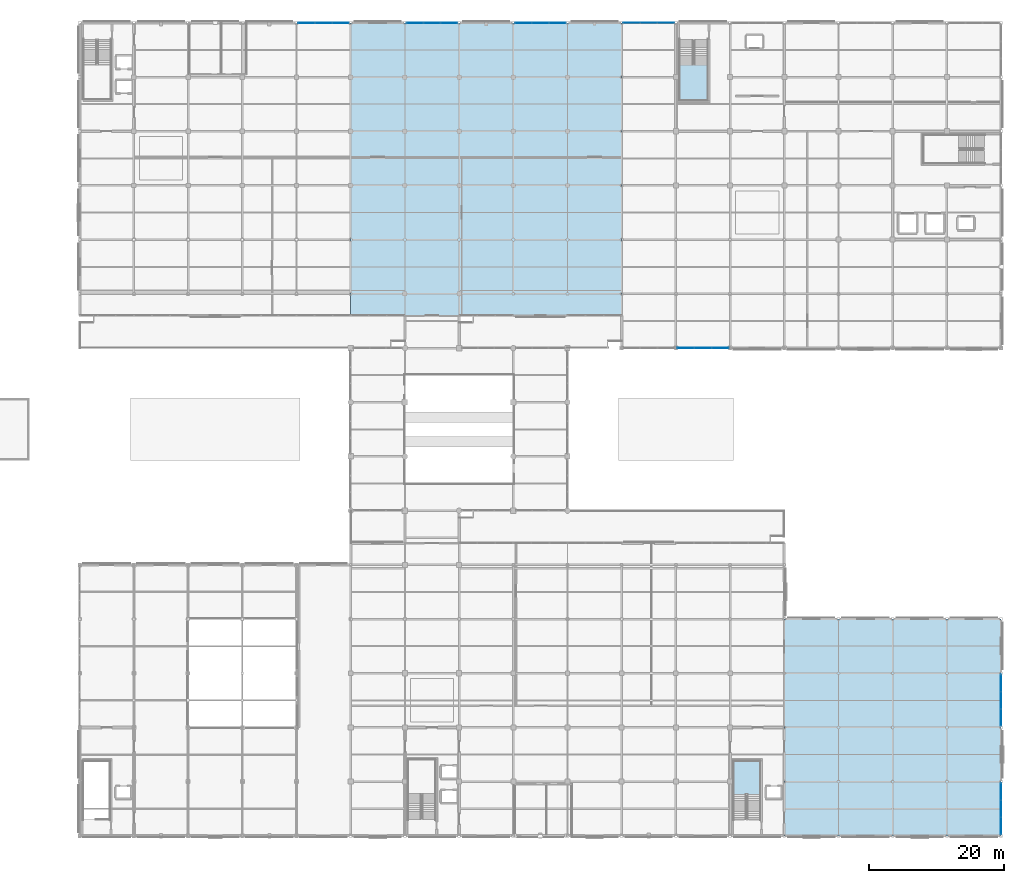
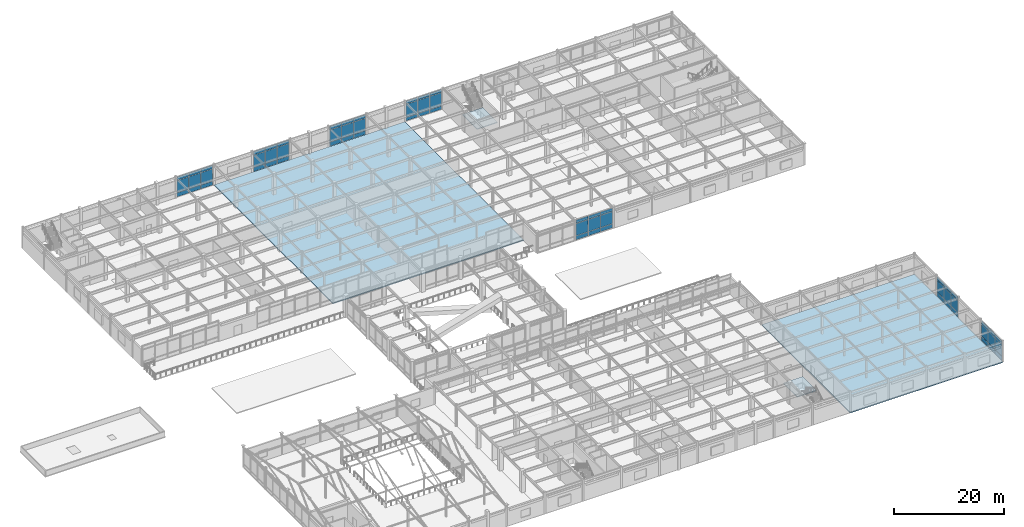
# One storey, part 87 of 117: 63 plates, 4 slabs, 9 elements without a shape of their own.
"""IFC4 building model written with IfcOpenShell, lengths in metres."""

from ifc_helpers import new_model, si_unit, direction, frame, origin, origin_2d, place, context, subcontext, project, spatial, polyline, rectangle, outline, extrude, material, layer, layer_set, type_object, element, aggregate, save


model = new_model("IFC4")

# Units and contexts
model_context = context("Model", 3, precision=1e-05, world=origin(), true_north=direction((0.0, 1.0)))
body_context = subcontext(model_context, "Body", "Model", "MODEL_VIEW")
ifc_project = project(units=[si_unit("LENGTHUNIT", "METRE"), si_unit("AREAUNIT", "SQUARE_METRE"), si_unit("VOLUMEUNIT", "CUBIC_METRE"), si_unit("PLANEANGLEUNIT", "RADIAN"), si_unit("MASSUNIT", "GRAM", prefix="KILO")], contexts=[model_context])

# Site, building, storey
site_placement = place(None, origin())
site = spatial("IfcSite", under=ifc_project, at=site_placement, CompositionType="ELEMENT")
building_placement = place(site_placement, origin())
building = spatial("IfcBuilding", under=site, at=building_placement, Name="Solmirada Galleria", CompositionType="ELEMENT")
storey_placement = place(building_placement, frame((0.0, 0.0, 5.60009765625)))
storey = spatial("IfcBuildingStorey", under=building, at=storey_placement, Name="L01", CompositionType="ELEMENT", Elevation=5.60009765625)

# Curtain wall, plates
ifc_material_1 = material(Name="Impact-resistant low-E double glazing", Category="glass")
curtain_wall_type_1 = type_object("IfcCurtainWallType", Name="CW-FZ4-L01-B3-L076", PredefinedType="NOTDEFINED", material=ifc_material_1)
curtain_wall_1_placement = place(storey_placement, origin())
curtain_wall_1 = element("IfcCurtainWall", 1, at=curtain_wall_1_placement, inside=storey, type_object=curtain_wall_type_1, Name="Terrace and arcade storefront CW-L01-053", PredefinedType="NOTDEFINED")
ifc_layer_1 = layer(ifc_material_1, 0.048095703125)
ifc_layer_set_1 = layer_set([ifc_layer_1], Name="Impact-resistant low-E double glazing")
plate_type_1 = type_object("IfcPlateType", Name="CW-PNL-CW14-T48", PredefinedType="CURTAIN_PANEL", material=ifc_layer_set_1)
plate_1_placement = place(storey_placement, frame((73.486328125, 120.0, 0.06494140625), z_axis=(0.0, 0.0, 1.0), x_axis=(1.0, 0.0, 0.0)))
plate_1 = element("IfcPlate", 2, at=plate_1_placement, type_object=plate_type_1, Name="CW14 panel 1.1", PredefinedType="CURTAIN_PANEL", context=body_context, shape_type="SweptSolid", body=[
    extrude(rectangle(XDim=2.4326171875, YDim=0.048095703125, at=origin_2d()), origin(), (0.0, 0.0, 1.0), 0.862548828125),
])
plate_2_placement = place(storey_placement, frame((73.486328125, 120.0, 0.9921875), z_axis=(0.0, 0.0, 1.0), x_axis=(1.0, 0.0, 0.0)))
plate_2 = element("IfcPlate", 3, at=plate_2_placement, type_object=plate_type_1, Name="CW14 panel 1.2", PredefinedType="CURTAIN_PANEL", context=body_context, shape_type="SweptSolid", body=[
    extrude(rectangle(XDim=2.4326171875, YDim=0.048095703125, at=origin_2d()), origin(), (0.0, 0.0, 1.0), 2.655029296875),
])
plate_3_placement = place(storey_placement, frame((73.486328125, 120.0, 3.71240234375), z_axis=(0.0, 0.0, 1.0), x_axis=(1.0, 0.0, 0.0)))
plate_3 = element("IfcPlate", 4, at=plate_3_placement, type_object=plate_type_1, Name="CW14 panel 1.3", PredefinedType="CURTAIN_PANEL", context=body_context, shape_type="SweptSolid", body=[
    extrude(rectangle(XDim=2.4326171875, YDim=0.048095703125, at=origin_2d()), origin(), (0.0, 0.0, 1.0), 0.742431640625),
])
plate_4_placement = place(storey_placement, frame((76.0, 120.0, 0.06494140625), z_axis=(0.0, 0.0, 1.0), x_axis=(1.0, 0.0, 0.0)))
plate_4 = element("IfcPlate", 5, at=plate_4_placement, type_object=plate_type_1, Name="CW14 panel 2.1", PredefinedType="CURTAIN_PANEL", context=body_context, shape_type="SweptSolid", body=[
    extrude(rectangle(XDim=2.465087890625, YDim=0.048095703125, at=origin_2d()), origin(), (0.0, 0.0, 1.0), 0.862548828125),
])
plate_5_placement = place(storey_placement, frame((76.0, 120.0, 0.9921875), z_axis=(0.0, 0.0, 1.0), x_axis=(1.0, 0.0, 0.0)))
plate_5 = element("IfcPlate", 6, at=plate_5_placement, type_object=plate_type_1, Name="CW14 panel 2.2", PredefinedType="CURTAIN_PANEL", context=body_context, shape_type="SweptSolid", body=[
    extrude(rectangle(XDim=2.465087890625, YDim=0.048095703125, at=origin_2d()), origin(), (0.0, 0.0, 1.0), 2.655029296875),
])
plate_6_placement = place(storey_placement, frame((76.0, 120.0, 3.71240234375), z_axis=(0.0, 0.0, 1.0), x_axis=(1.0, 0.0, 0.0)))
plate_6 = element("IfcPlate", 7, at=plate_6_placement, type_object=plate_type_1, Name="CW14 panel 2.3", PredefinedType="CURTAIN_PANEL", context=body_context, shape_type="SweptSolid", body=[
    extrude(rectangle(XDim=2.465087890625, YDim=0.048095703125, at=origin_2d()), origin(), (0.0, 0.0, 1.0), 0.742431640625),
])
plate_7_placement = place(storey_placement, frame((78.513671875, 120.0, 0.06494140625), z_axis=(0.0, 0.0, 1.0), x_axis=(1.0, 0.0, 0.0)))
plate_7 = element("IfcPlate", 8, at=plate_7_placement, type_object=plate_type_1, Name="CW14 panel 3.1", PredefinedType="CURTAIN_PANEL", context=body_context, shape_type="SweptSolid", body=[
    extrude(rectangle(XDim=2.4326171875, YDim=0.048095703125, at=origin_2d()), origin(), (0.0, 0.0, 1.0), 0.862548828125),
])
plate_8_placement = place(storey_placement, frame((78.513671875, 120.0, 0.9921875), z_axis=(0.0, 0.0, 1.0), x_axis=(1.0, 0.0, 0.0)))
plate_8 = element("IfcPlate", 9, at=plate_8_placement, type_object=plate_type_1, Name="CW14 panel 3.2", PredefinedType="CURTAIN_PANEL", context=body_context, shape_type="SweptSolid", body=[
    extrude(rectangle(XDim=2.4326171875, YDim=0.048095703125, at=origin_2d()), origin(), (0.0, 0.0, 1.0), 2.655029296875),
])
plate_9_placement = place(storey_placement, frame((78.513671875, 120.0, 3.71240234375), z_axis=(0.0, 0.0, 1.0), x_axis=(1.0, 0.0, 0.0)))
plate_9 = element("IfcPlate", 10, at=plate_9_placement, type_object=plate_type_1, Name="CW14 panel 3.3", PredefinedType="CURTAIN_PANEL", context=body_context, shape_type="SweptSolid", body=[
    extrude(rectangle(XDim=2.4326171875, YDim=0.048095703125, at=origin_2d()), origin(), (0.0, 0.0, 1.0), 0.742431640625),
])
aggregate(curtain_wall_1, [plate_1, plate_2, plate_3, plate_4, plate_5, plate_6, plate_7, plate_8, plate_9])

curtain_wall_2_placement = place(storey_placement, origin())
curtain_wall_2 = element("IfcCurtainWall", 11, at=curtain_wall_2_placement, inside=storey, type_object=curtain_wall_type_1, Name="Terrace and arcade storefront CW-L01-054", PredefinedType="NOTDEFINED")
plate_10_placement = place(storey_placement, frame((89.486328125, 120.0, 0.06494140625), z_axis=(0.0, 0.0, 1.0), x_axis=(1.0, 0.0, 0.0)))
plate_10 = element("IfcPlate", 12, at=plate_10_placement, type_object=plate_type_1, Name="CW14 panel 1.1", PredefinedType="CURTAIN_PANEL", context=body_context, shape_type="SweptSolid", body=[
    extrude(rectangle(XDim=2.4326171875, YDim=0.048095703125, at=origin_2d()), origin(), (0.0, 0.0, 1.0), 0.862548828125),
])
plate_11_placement = place(storey_placement, frame((89.486328125, 120.0, 0.9921875), z_axis=(0.0, 0.0, 1.0), x_axis=(1.0, 0.0, 0.0)))
plate_11 = element("IfcPlate", 13, at=plate_11_placement, type_object=plate_type_1, Name="CW14 panel 1.2", PredefinedType="CURTAIN_PANEL", context=body_context, shape_type="SweptSolid", body=[
    extrude(rectangle(XDim=2.4326171875, YDim=0.048095703125, at=origin_2d()), origin(), (0.0, 0.0, 1.0), 2.655029296875),
])
plate_12_placement = place(storey_placement, frame((89.486328125, 120.0, 3.71240234375), z_axis=(0.0, 0.0, 1.0), x_axis=(1.0, 0.0, 0.0)))
plate_12 = element("IfcPlate", 14, at=plate_12_placement, type_object=plate_type_1, Name="CW14 panel 1.3", PredefinedType="CURTAIN_PANEL", context=body_context, shape_type="SweptSolid", body=[
    extrude(rectangle(XDim=2.4326171875, YDim=0.048095703125, at=origin_2d()), origin(), (0.0, 0.0, 1.0), 0.742431640625),
])
plate_13_placement = place(storey_placement, frame((92.0, 120.0, 0.06494140625), z_axis=(0.0, 0.0, 1.0), x_axis=(1.0, 0.0, 0.0)))
plate_13 = element("IfcPlate", 15, at=plate_13_placement, type_object=plate_type_1, Name="CW14 panel 2.1", PredefinedType="CURTAIN_PANEL", context=body_context, shape_type="SweptSolid", body=[
    extrude(rectangle(XDim=2.465087890625, YDim=0.048095703125, at=origin_2d()), origin(), (0.0, 0.0, 1.0), 0.862548828125),
])
plate_14_placement = place(storey_placement, frame((92.0, 120.0, 0.9921875), z_axis=(0.0, 0.0, 1.0), x_axis=(1.0, 0.0, 0.0)))
plate_14 = element("IfcPlate", 16, at=plate_14_placement, type_object=plate_type_1, Name="CW14 panel 2.2", PredefinedType="CURTAIN_PANEL", context=body_context, shape_type="SweptSolid", body=[
    extrude(rectangle(XDim=2.465087890625, YDim=0.048095703125, at=origin_2d()), origin(), (0.0, 0.0, 1.0), 2.655029296875),
])
plate_15_placement = place(storey_placement, frame((92.0, 120.0, 3.71240234375), z_axis=(0.0, 0.0, 1.0), x_axis=(1.0, 0.0, 0.0)))
plate_15 = element("IfcPlate", 17, at=plate_15_placement, type_object=plate_type_1, Name="CW14 panel 2.3", PredefinedType="CURTAIN_PANEL", context=body_context, shape_type="SweptSolid", body=[
    extrude(rectangle(XDim=2.465087890625, YDim=0.048095703125, at=origin_2d()), origin(), (0.0, 0.0, 1.0), 0.742431640625),
])
plate_16_placement = place(storey_placement, frame((94.513671875, 120.0, 0.06494140625), z_axis=(0.0, 0.0, 1.0), x_axis=(1.0, 0.0, 0.0)))
plate_16 = element("IfcPlate", 18, at=plate_16_placement, type_object=plate_type_1, Name="CW14 panel 3.1", PredefinedType="CURTAIN_PANEL", context=body_context, shape_type="SweptSolid", body=[
    extrude(rectangle(XDim=2.4326171875, YDim=0.048095703125, at=origin_2d()), origin(), (0.0, 0.0, 1.0), 0.862548828125),
])
plate_17_placement = place(storey_placement, frame((94.513671875, 120.0, 0.9921875), z_axis=(0.0, 0.0, 1.0), x_axis=(1.0, 0.0, 0.0)))
plate_17 = element("IfcPlate", 19, at=plate_17_placement, type_object=plate_type_1, Name="CW14 panel 3.2", PredefinedType="CURTAIN_PANEL", context=body_context, shape_type="SweptSolid", body=[
    extrude(rectangle(XDim=2.4326171875, YDim=0.048095703125, at=origin_2d()), origin(), (0.0, 0.0, 1.0), 2.655029296875),
])
plate_18_placement = place(storey_placement, frame((94.513671875, 120.0, 3.71240234375), z_axis=(0.0, 0.0, 1.0), x_axis=(1.0, 0.0, 0.0)))
plate_18 = element("IfcPlate", 20, at=plate_18_placement, type_object=plate_type_1, Name="CW14 panel 3.3", PredefinedType="CURTAIN_PANEL", context=body_context, shape_type="SweptSolid", body=[
    extrude(rectangle(XDim=2.4326171875, YDim=0.048095703125, at=origin_2d()), origin(), (0.0, 0.0, 1.0), 0.742431640625),
])
aggregate(curtain_wall_2, [plate_10, plate_11, plate_12, plate_13, plate_14, plate_15, plate_16, plate_17, plate_18])

curtain_wall_3_placement = place(storey_placement, origin())
curtain_wall_3 = element("IfcCurtainWall", 21, at=curtain_wall_3_placement, inside=storey, type_object=curtain_wall_type_1, Name="Terrace and arcade storefront CW-L01-055", PredefinedType="NOTDEFINED")
plate_19_placement = place(storey_placement, frame((105.486328125, 120.0, 0.06494140625), z_axis=(0.0, 0.0, 1.0), x_axis=(1.0, 0.0, 0.0)))
plate_19 = element("IfcPlate", 22, at=plate_19_placement, type_object=plate_type_1, Name="CW14 panel 1.1", PredefinedType="CURTAIN_PANEL", context=body_context, shape_type="SweptSolid", body=[
    extrude(rectangle(XDim=2.4326171875, YDim=0.048095703125, at=origin_2d()), origin(), (0.0, 0.0, 1.0), 0.862548828125),
])
plate_20_placement = place(storey_placement, frame((105.486328125, 120.0, 0.9921875), z_axis=(0.0, 0.0, 1.0), x_axis=(1.0, 0.0, 0.0)))
plate_20 = element("IfcPlate", 23, at=plate_20_placement, type_object=plate_type_1, Name="CW14 panel 1.2", PredefinedType="CURTAIN_PANEL", context=body_context, shape_type="SweptSolid", body=[
    extrude(rectangle(XDim=2.4326171875, YDim=0.048095703125, at=origin_2d()), origin(), (0.0, 0.0, 1.0), 2.655029296875),
])
plate_21_placement = place(storey_placement, frame((105.486328125, 120.0, 3.71240234375), z_axis=(0.0, 0.0, 1.0), x_axis=(1.0, 0.0, 0.0)))
plate_21 = element("IfcPlate", 24, at=plate_21_placement, type_object=plate_type_1, Name="CW14 panel 1.3", PredefinedType="CURTAIN_PANEL", context=body_context, shape_type="SweptSolid", body=[
    extrude(rectangle(XDim=2.4326171875, YDim=0.048095703125, at=origin_2d()), origin(), (0.0, 0.0, 1.0), 0.742431640625),
])
plate_22_placement = place(storey_placement, frame((108.0, 120.0, 0.06494140625), z_axis=(0.0, 0.0, 1.0), x_axis=(1.0, 0.0, 0.0)))
plate_22 = element("IfcPlate", 25, at=plate_22_placement, type_object=plate_type_1, Name="CW14 panel 2.1", PredefinedType="CURTAIN_PANEL", context=body_context, shape_type="SweptSolid", body=[
    extrude(rectangle(XDim=2.465087890625, YDim=0.048095703125, at=origin_2d()), origin(), (0.0, 0.0, 1.0), 0.862548828125),
])
plate_23_placement = place(storey_placement, frame((108.0, 120.0, 0.9921875), z_axis=(0.0, 0.0, 1.0), x_axis=(1.0, 0.0, 0.0)))
plate_23 = element("IfcPlate", 26, at=plate_23_placement, type_object=plate_type_1, Name="CW14 panel 2.2", PredefinedType="CURTAIN_PANEL", context=body_context, shape_type="SweptSolid", body=[
    extrude(rectangle(XDim=2.465087890625, YDim=0.048095703125, at=origin_2d()), origin(), (0.0, 0.0, 1.0), 2.655029296875),
])
plate_24_placement = place(storey_placement, frame((108.0, 120.0, 3.71240234375), z_axis=(0.0, 0.0, 1.0), x_axis=(1.0, 0.0, 0.0)))
plate_24 = element("IfcPlate", 27, at=plate_24_placement, type_object=plate_type_1, Name="CW14 panel 2.3", PredefinedType="CURTAIN_PANEL", context=body_context, shape_type="SweptSolid", body=[
    extrude(rectangle(XDim=2.465087890625, YDim=0.048095703125, at=origin_2d()), origin(), (0.0, 0.0, 1.0), 0.742431640625),
])
plate_25_placement = place(storey_placement, frame((110.513671875, 120.0, 0.06494140625), z_axis=(0.0, 0.0, 1.0), x_axis=(1.0, 0.0, 0.0)))
plate_25 = element("IfcPlate", 28, at=plate_25_placement, type_object=plate_type_1, Name="CW14 panel 3.1", PredefinedType="CURTAIN_PANEL", context=body_context, shape_type="SweptSolid", body=[
    extrude(rectangle(XDim=2.4326171875, YDim=0.048095703125, at=origin_2d()), origin(), (0.0, 0.0, 1.0), 0.862548828125),
])
plate_26_placement = place(storey_placement, frame((110.513671875, 120.0, 0.9921875), z_axis=(0.0, 0.0, 1.0), x_axis=(1.0, 0.0, 0.0)))
plate_26 = element("IfcPlate", 29, at=plate_26_placement, type_object=plate_type_1, Name="CW14 panel 3.2", PredefinedType="CURTAIN_PANEL", context=body_context, shape_type="SweptSolid", body=[
    extrude(rectangle(XDim=2.4326171875, YDim=0.048095703125, at=origin_2d()), origin(), (0.0, 0.0, 1.0), 2.655029296875),
])
plate_27_placement = place(storey_placement, frame((110.513671875, 120.0, 3.71240234375), z_axis=(0.0, 0.0, 1.0), x_axis=(1.0, 0.0, 0.0)))
plate_27 = element("IfcPlate", 30, at=plate_27_placement, type_object=plate_type_1, Name="CW14 panel 3.3", PredefinedType="CURTAIN_PANEL", context=body_context, shape_type="SweptSolid", body=[
    extrude(rectangle(XDim=2.4326171875, YDim=0.048095703125, at=origin_2d()), origin(), (0.0, 0.0, 1.0), 0.742431640625),
])
aggregate(curtain_wall_3, [plate_19, plate_20, plate_21, plate_22, plate_23, plate_24, plate_25, plate_26, plate_27])

curtain_wall_type_2 = type_object("IfcCurtainWallType", Name="CW-FZ2-L01-B3-L076", PredefinedType="NOTDEFINED", material=ifc_material_1)
curtain_wall_4_placement = place(storey_placement, origin())
curtain_wall_4 = element("IfcCurtainWall", 31, at=curtain_wall_4_placement, inside=storey, type_object=curtain_wall_type_2, Name="Terrace and arcade storefront CW-L01-056", PredefinedType="NOTDEFINED")
ifc_layer_2 = layer(ifc_material_1, 0.02392578125)
ifc_layer_set_2 = layer_set([ifc_layer_2], Name="Impact-resistant low-E double glazing")
plate_type_2 = type_object("IfcPlateType", Name="CW-PNL-CW15-T24", PredefinedType="CURTAIN_PANEL", material=ifc_layer_set_2)
plate_28_placement = place(storey_placement, frame((121.46533203125, 120.0, 0.06494140625), z_axis=(0.0, 0.0, 1.0), x_axis=(1.0, 0.0, 0.0)))
plate_28 = element("IfcPlate", 32, at=plate_28_placement, type_object=plate_type_2, Name="CW15 panel 1.1", PredefinedType="CURTAIN_PANEL", context=body_context, shape_type="SweptSolid", body=[
    extrude(rectangle(XDim=2.44091796875, YDim=0.02392578125, at=origin_2d()), origin(), (0.0, 0.0, 1.0), 0.742431640625),
])
plate_29_placement = place(storey_placement, frame((121.46533203125, 120.0, 0.872314453125), z_axis=(0.0, 0.0, 1.0), x_axis=(1.0, 0.0, 0.0)))
plate_29 = element("IfcPlate", 33, at=plate_29_placement, type_object=plate_type_2, Name="CW15 panel 1.2", PredefinedType="CURTAIN_PANEL", context=body_context, shape_type="SweptSolid", body=[
    extrude(rectangle(XDim=2.44091796875, YDim=0.02392578125, at=origin_2d()), origin(), (0.0, 0.0, 1.0), 2.875),
])
plate_30_placement = place(storey_placement, frame((121.46533203125, 120.0, 3.812255859375), z_axis=(0.0, 0.0, 1.0), x_axis=(1.0, 0.0, 0.0)))
plate_30 = element("IfcPlate", 34, at=plate_30_placement, type_object=plate_type_2, Name="CW15 panel 1.3", PredefinedType="CURTAIN_PANEL", context=body_context, shape_type="SweptSolid", body=[
    extrude(rectangle(XDim=2.44091796875, YDim=0.02392578125, at=origin_2d()), origin(), (0.0, 0.0, 1.0), 0.642578125),
])
plate_31_placement = place(storey_placement, frame((123.987548828125, 120.0, 0.06494140625), z_axis=(0.0, 0.0, 1.0), x_axis=(1.0, 0.0, 0.0)))
plate_31 = element("IfcPlate", 35, at=plate_31_placement, type_object=plate_type_2, Name="CW15 panel 2.1", PredefinedType="CURTAIN_PANEL", context=body_context, shape_type="SweptSolid", body=[
    extrude(rectangle(XDim=2.473388671875, YDim=0.02392578125, at=origin_2d()), origin(), (0.0, 0.0, 1.0), 0.742431640625),
])
plate_32_placement = place(storey_placement, frame((123.987548828125, 120.0, 0.872314453125), z_axis=(0.0, 0.0, 1.0), x_axis=(1.0, 0.0, 0.0)))
plate_32 = element("IfcPlate", 36, at=plate_32_placement, type_object=plate_type_2, Name="CW15 panel 2.2", PredefinedType="CURTAIN_PANEL", context=body_context, shape_type="SweptSolid", body=[
    extrude(rectangle(XDim=2.473388671875, YDim=0.02392578125, at=origin_2d()), origin(), (0.0, 0.0, 1.0), 2.875),
])
plate_33_placement = place(storey_placement, frame((123.987548828125, 120.0, 3.812255859375), z_axis=(0.0, 0.0, 1.0), x_axis=(1.0, 0.0, 0.0)))
plate_33 = element("IfcPlate", 37, at=plate_33_placement, type_object=plate_type_2, Name="CW15 panel 2.3", PredefinedType="CURTAIN_PANEL", context=body_context, shape_type="SweptSolid", body=[
    extrude(rectangle(XDim=2.473388671875, YDim=0.02392578125, at=origin_2d()), origin(), (0.0, 0.0, 1.0), 0.642578125),
])
plate_34_placement = place(storey_placement, frame((126.509521484375, 120.0, 0.06494140625), z_axis=(0.0, 0.0, 1.0), x_axis=(1.0, 0.0, 0.0)))
plate_34 = element("IfcPlate", 38, at=plate_34_placement, type_object=plate_type_2, Name="CW15 panel 3.1", PredefinedType="CURTAIN_PANEL", context=body_context, shape_type="SweptSolid", body=[
    extrude(rectangle(XDim=2.44091796875, YDim=0.02392578125, at=origin_2d()), origin(), (0.0, 0.0, 1.0), 0.742431640625),
])
plate_35_placement = place(storey_placement, frame((126.509521484375, 120.0, 0.872314453125), z_axis=(0.0, 0.0, 1.0), x_axis=(1.0, 0.0, 0.0)))
plate_35 = element("IfcPlate", 39, at=plate_35_placement, type_object=plate_type_2, Name="CW15 panel 3.2", PredefinedType="CURTAIN_PANEL", context=body_context, shape_type="SweptSolid", body=[
    extrude(rectangle(XDim=2.44091796875, YDim=0.02392578125, at=origin_2d()), origin(), (0.0, 0.0, 1.0), 2.875),
])
plate_36_placement = place(storey_placement, frame((126.509521484375, 120.0, 3.812255859375), z_axis=(0.0, 0.0, 1.0), x_axis=(1.0, 0.0, 0.0)))
plate_36 = element("IfcPlate", 40, at=plate_36_placement, type_object=plate_type_2, Name="CW15 panel 3.3", PredefinedType="CURTAIN_PANEL", context=body_context, shape_type="SweptSolid", body=[
    extrude(rectangle(XDim=2.44091796875, YDim=0.02392578125, at=origin_2d()), origin(), (0.0, 0.0, 1.0), 0.642578125),
])
aggregate(curtain_wall_4, [plate_28, plate_29, plate_30, plate_31, plate_32, plate_33, plate_34, plate_35, plate_36])

curtain_wall_type_3 = type_object("IfcCurtainWallType", Name="CW-FZ4-L01-B3-L077", PredefinedType="NOTDEFINED", material=ifc_material_1)
curtain_wall_5_placement = place(storey_placement, origin())
curtain_wall_5 = element("IfcCurtainWall", 41, at=curtain_wall_5_placement, inside=storey, type_object=curtain_wall_type_3, Name="Terrace and arcade storefront CW-L01-062", PredefinedType="NOTDEFINED")
ifc_layer_3 = layer(ifc_material_1, 0.028076171875)
ifc_layer_set_3 = layer_set([ifc_layer_3], Name="Impact-resistant low-E double glazing")
plate_type_3 = type_object("IfcPlateType", Name="CW-PNL-CW16-T28", PredefinedType="CURTAIN_PANEL", material=ifc_layer_set_3)
plate_37_placement = place(storey_placement, frame((134.564453125, 72.0, 0.06494140625), z_axis=(0.0, 0.0, 1.0), x_axis=(-1.0, 0.0, 0.0)))
plate_37 = element("IfcPlate", 42, at=plate_37_placement, type_object=plate_type_3, Name="CW16 panel 1.1", PredefinedType="CURTAIN_PANEL", context=body_context, shape_type="SweptSolid", body=[
    extrude(rectangle(XDim=2.483154296875, YDim=0.028076171875, at=origin_2d()), origin(), (0.0, 0.0, 1.0), 0.862548828125),
])
plate_38_placement = place(storey_placement, frame((134.564453125, 72.0, 0.9921875), z_axis=(0.0, 0.0, 1.0), x_axis=(-1.0, 0.0, 0.0)))
plate_38 = element("IfcPlate", 43, at=plate_38_placement, type_object=plate_type_3, Name="CW16 panel 1.2", PredefinedType="CURTAIN_PANEL", context=body_context, shape_type="SweptSolid", body=[
    extrude(rectangle(XDim=2.483154296875, YDim=0.028076171875, at=origin_2d()), origin(), (0.0, 0.0, 1.0), 2.655029296875),
])
plate_39_placement = place(storey_placement, frame((134.564453125, 72.0, 3.71240234375), z_axis=(0.0, 0.0, 1.0), x_axis=(-1.0, 0.0, 0.0)))
plate_39 = element("IfcPlate", 44, at=plate_39_placement, type_object=plate_type_3, Name="CW16 panel 1.3", PredefinedType="CURTAIN_PANEL", context=body_context, shape_type="SweptSolid", body=[
    extrude(rectangle(XDim=2.483154296875, YDim=0.028076171875, at=origin_2d()), origin(), (0.0, 0.0, 1.0), 0.742431640625),
])
plate_40_placement = place(storey_placement, frame((132.0, 72.0, 0.06494140625), z_axis=(0.0, 0.0, 1.0), x_axis=(-1.0, 0.0, 0.0)))
plate_40 = element("IfcPlate", 45, at=plate_40_placement, type_object=plate_type_3, Name="CW16 panel 2.1", PredefinedType="CURTAIN_PANEL", context=body_context, shape_type="SweptSolid", body=[
    extrude(rectangle(XDim=2.515625, YDim=0.028076171875, at=origin_2d()), origin(), (0.0, 0.0, 1.0), 0.862548828125),
])
plate_41_placement = place(storey_placement, frame((132.0, 72.0, 0.9921875), z_axis=(0.0, 0.0, 1.0), x_axis=(-1.0, 0.0, 0.0)))
plate_41 = element("IfcPlate", 46, at=plate_41_placement, type_object=plate_type_3, Name="CW16 panel 2.2", PredefinedType="CURTAIN_PANEL", context=body_context, shape_type="SweptSolid", body=[
    extrude(rectangle(XDim=2.515625, YDim=0.028076171875, at=origin_2d()), origin(), (0.0, 0.0, 1.0), 2.655029296875),
])
plate_42_placement = place(storey_placement, frame((132.0, 72.0, 3.71240234375), z_axis=(0.0, 0.0, 1.0), x_axis=(-1.0, 0.0, 0.0)))
plate_42 = element("IfcPlate", 47, at=plate_42_placement, type_object=plate_type_3, Name="CW16 panel 2.3", PredefinedType="CURTAIN_PANEL", context=body_context, shape_type="SweptSolid", body=[
    extrude(rectangle(XDim=2.515625, YDim=0.028076171875, at=origin_2d()), origin(), (0.0, 0.0, 1.0), 0.742431640625),
])
plate_43_placement = place(storey_placement, frame((129.435546875, 72.0, 0.06494140625), z_axis=(0.0, 0.0, 1.0), x_axis=(-1.0, 0.0, 0.0)))
plate_43 = element("IfcPlate", 48, at=plate_43_placement, type_object=plate_type_3, Name="CW16 panel 3.1", PredefinedType="CURTAIN_PANEL", context=body_context, shape_type="SweptSolid", body=[
    extrude(rectangle(XDim=2.483154296875, YDim=0.028076171875, at=origin_2d()), origin(), (0.0, 0.0, 1.0), 0.862548828125),
])
plate_44_placement = place(storey_placement, frame((129.435546875, 72.0, 0.9921875), z_axis=(0.0, 0.0, 1.0), x_axis=(-1.0, 0.0, 0.0)))
plate_44 = element("IfcPlate", 49, at=plate_44_placement, type_object=plate_type_3, Name="CW16 panel 3.2", PredefinedType="CURTAIN_PANEL", context=body_context, shape_type="SweptSolid", body=[
    extrude(rectangle(XDim=2.483154296875, YDim=0.028076171875, at=origin_2d()), origin(), (0.0, 0.0, 1.0), 2.655029296875),
])
plate_45_placement = place(storey_placement, frame((129.435546875, 72.0, 3.71240234375), z_axis=(0.0, 0.0, 1.0), x_axis=(-1.0, 0.0, 0.0)))
plate_45 = element("IfcPlate", 50, at=plate_45_placement, type_object=plate_type_3, Name="CW16 panel 3.3", PredefinedType="CURTAIN_PANEL", context=body_context, shape_type="SweptSolid", body=[
    extrude(rectangle(XDim=2.483154296875, YDim=0.028076171875, at=origin_2d()), origin(), (0.0, 0.0, 1.0), 0.742431640625),
])
aggregate(curtain_wall_5, [plate_37, plate_38, plate_39, plate_40, plate_41, plate_42, plate_43, plate_44, plate_45])

curtain_wall_type_4 = type_object("IfcCurtainWallType", Name="CW-FZ5-L01-B3-L076", PredefinedType="NOTDEFINED", material=ifc_material_1)
curtain_wall_6_placement = place(storey_placement, origin())
curtain_wall_6 = element("IfcCurtainWall", 51, at=curtain_wall_6_placement, inside=storey, type_object=curtain_wall_type_4, Name="Terrace and arcade storefront CW-L01-078", PredefinedType="NOTDEFINED")
ifc_layer_4 = layer(ifc_material_1, 0.035888671875)
ifc_layer_set_4 = layer_set([ifc_layer_4], Name="Impact-resistant low-E double glazing")
plate_type_4 = type_object("IfcPlateType", Name="CW-PNL-CW18-T36", PredefinedType="CURTAIN_PANEL", material=ifc_layer_set_4)
plate_46_placement = place(storey_placement, frame((176.0, 22.530517578125, 0.06494140625), z_axis=(0.0, 0.0, 1.0), x_axis=(0.0, -1.0, 0.0)))
plate_46 = element("IfcPlate", 52, at=plate_46_placement, type_object=plate_type_4, Name="CW18 panel 1.1", PredefinedType="CURTAIN_PANEL", context=body_context, shape_type="SweptSolid", body=[
    extrude(rectangle(XDim=2.44921875, YDim=0.035888671875, at=origin_2d()), origin(), (0.0, 0.0, 1.0), 0.922607421875),
])
plate_47_placement = place(storey_placement, frame((176.0, 22.530517578125, 1.052490234375), z_axis=(0.0, 0.0, 1.0), x_axis=(0.0, -1.0, 0.0)))
plate_47 = element("IfcPlate", 53, at=plate_47_placement, type_object=plate_type_4, Name="CW18 panel 1.2", PredefinedType="CURTAIN_PANEL", context=body_context, shape_type="SweptSolid", body=[
    extrude(rectangle(XDim=2.44921875, YDim=0.035888671875, at=origin_2d()), origin(), (0.0, 0.0, 1.0), 2.544921875),
])
plate_48_placement = place(storey_placement, frame((176.0, 22.530517578125, 3.662353515625), z_axis=(0.0, 0.0, 1.0), x_axis=(0.0, -1.0, 0.0)))
plate_48 = element("IfcPlate", 54, at=plate_48_placement, type_object=plate_type_4, Name="CW18 panel 1.3", PredefinedType="CURTAIN_PANEL", context=body_context, shape_type="SweptSolid", body=[
    extrude(rectangle(XDim=2.44921875, YDim=0.035888671875, at=origin_2d()), origin(), (0.0, 0.0, 1.0), 0.79248046875),
])
plate_49_placement = place(storey_placement, frame((176.0, 20.0, 0.06494140625), z_axis=(0.0, 0.0, 1.0), x_axis=(0.0, -1.0, 0.0)))
plate_49 = element("IfcPlate", 55, at=plate_49_placement, type_object=plate_type_4, Name="CW18 panel 2.1", PredefinedType="CURTAIN_PANEL", context=body_context, shape_type="SweptSolid", body=[
    extrude(rectangle(XDim=2.481689453125, YDim=0.035888671875, at=origin_2d()), origin(), (0.0, 0.0, 1.0), 0.922607421875),
])
plate_50_placement = place(storey_placement, frame((176.0, 20.0, 1.052490234375), z_axis=(0.0, 0.0, 1.0), x_axis=(0.0, -1.0, 0.0)))
plate_50 = element("IfcPlate", 56, at=plate_50_placement, type_object=plate_type_4, Name="CW18 panel 2.2", PredefinedType="CURTAIN_PANEL", context=body_context, shape_type="SweptSolid", body=[
    extrude(rectangle(XDim=2.481689453125, YDim=0.035888671875, at=origin_2d()), origin(), (0.0, 0.0, 1.0), 2.544921875),
])
plate_51_placement = place(storey_placement, frame((176.0, 20.0, 3.662353515625), z_axis=(0.0, 0.0, 1.0), x_axis=(0.0, -1.0, 0.0)))
plate_51 = element("IfcPlate", 57, at=plate_51_placement, type_object=plate_type_4, Name="CW18 panel 2.3", PredefinedType="CURTAIN_PANEL", context=body_context, shape_type="SweptSolid", body=[
    extrude(rectangle(XDim=2.481689453125, YDim=0.035888671875, at=origin_2d()), origin(), (0.0, 0.0, 1.0), 0.79248046875),
])
plate_52_placement = place(storey_placement, frame((176.0, 17.469482421875, 0.06494140625), z_axis=(0.0, 0.0, 1.0), x_axis=(0.0, -1.0, 0.0)))
plate_52 = element("IfcPlate", 58, at=plate_52_placement, type_object=plate_type_4, Name="CW18 panel 3.1", PredefinedType="CURTAIN_PANEL", context=body_context, shape_type="SweptSolid", body=[
    extrude(rectangle(XDim=2.44921875, YDim=0.035888671875, at=origin_2d()), origin(), (0.0, 0.0, 1.0), 0.922607421875),
])
plate_53_placement = place(storey_placement, frame((176.0, 17.469482421875, 1.052490234375), z_axis=(0.0, 0.0, 1.0), x_axis=(0.0, -1.0, 0.0)))
plate_53 = element("IfcPlate", 59, at=plate_53_placement, type_object=plate_type_4, Name="CW18 panel 3.2", PredefinedType="CURTAIN_PANEL", context=body_context, shape_type="SweptSolid", body=[
    extrude(rectangle(XDim=2.44921875, YDim=0.035888671875, at=origin_2d()), origin(), (0.0, 0.0, 1.0), 2.544921875),
])
plate_54_placement = place(storey_placement, frame((176.0, 17.469482421875, 3.662353515625), z_axis=(0.0, 0.0, 1.0), x_axis=(0.0, -1.0, 0.0)))
plate_54 = element("IfcPlate", 60, at=plate_54_placement, type_object=plate_type_4, Name="CW18 panel 3.3", PredefinedType="CURTAIN_PANEL", context=body_context, shape_type="SweptSolid", body=[
    extrude(rectangle(XDim=2.44921875, YDim=0.035888671875, at=origin_2d()), origin(), (0.0, 0.0, 1.0), 0.79248046875),
])
aggregate(curtain_wall_6, [plate_46, plate_47, plate_48, plate_49, plate_50, plate_51, plate_52, plate_53, plate_54])

curtain_wall_7_placement = place(storey_placement, origin())
curtain_wall_7 = element("IfcCurtainWall", 61, at=curtain_wall_7_placement, inside=storey, type_object=curtain_wall_type_4, Name="Terrace and arcade storefront CW-L01-079", PredefinedType="NOTDEFINED")
plate_55_placement = place(storey_placement, frame((176.0, 6.530517578125, 0.06494140625), z_axis=(0.0, 0.0, 1.0), x_axis=(0.0, -1.0, 0.0)))
plate_55 = element("IfcPlate", 62, at=plate_55_placement, type_object=plate_type_4, Name="CW18 panel 1.1", PredefinedType="CURTAIN_PANEL", context=body_context, shape_type="SweptSolid", body=[
    extrude(rectangle(XDim=2.44921875, YDim=0.035888671875, at=origin_2d()), origin(), (0.0, 0.0, 1.0), 0.922607421875),
])
plate_56_placement = place(storey_placement, frame((176.0, 6.530517578125, 1.052490234375), z_axis=(0.0, 0.0, 1.0), x_axis=(0.0, -1.0, 0.0)))
plate_56 = element("IfcPlate", 63, at=plate_56_placement, type_object=plate_type_4, Name="CW18 panel 1.2", PredefinedType="CURTAIN_PANEL", context=body_context, shape_type="SweptSolid", body=[
    extrude(rectangle(XDim=2.44921875, YDim=0.035888671875, at=origin_2d()), origin(), (0.0, 0.0, 1.0), 2.544921875),
])
plate_57_placement = place(storey_placement, frame((176.0, 6.530517578125, 3.662353515625), z_axis=(0.0, 0.0, 1.0), x_axis=(0.0, -1.0, 0.0)))
plate_57 = element("IfcPlate", 64, at=plate_57_placement, type_object=plate_type_4, Name="CW18 panel 1.3", PredefinedType="CURTAIN_PANEL", context=body_context, shape_type="SweptSolid", body=[
    extrude(rectangle(XDim=2.44921875, YDim=0.035888671875, at=origin_2d()), origin(), (0.0, 0.0, 1.0), 0.79248046875),
])
plate_58_placement = place(storey_placement, frame((176.0, 4.0, 0.06494140625), z_axis=(0.0, 0.0, 1.0), x_axis=(0.0, -1.0, 0.0)))
plate_58 = element("IfcPlate", 65, at=plate_58_placement, type_object=plate_type_4, Name="CW18 panel 2.1", PredefinedType="CURTAIN_PANEL", context=body_context, shape_type="SweptSolid", body=[
    extrude(rectangle(XDim=2.481689453125, YDim=0.035888671875, at=origin_2d()), origin(), (0.0, 0.0, 1.0), 0.922607421875),
])
plate_59_placement = place(storey_placement, frame((176.0, 4.0, 1.052490234375), z_axis=(0.0, 0.0, 1.0), x_axis=(0.0, -1.0, 0.0)))
plate_59 = element("IfcPlate", 66, at=plate_59_placement, type_object=plate_type_4, Name="CW18 panel 2.2", PredefinedType="CURTAIN_PANEL", context=body_context, shape_type="SweptSolid", body=[
    extrude(rectangle(XDim=2.481689453125, YDim=0.035888671875, at=origin_2d()), origin(), (0.0, 0.0, 1.0), 2.544921875),
])
plate_60_placement = place(storey_placement, frame((176.0, 4.0, 3.662353515625), z_axis=(0.0, 0.0, 1.0), x_axis=(0.0, -1.0, 0.0)))
plate_60 = element("IfcPlate", 67, at=plate_60_placement, type_object=plate_type_4, Name="CW18 panel 2.3", PredefinedType="CURTAIN_PANEL", context=body_context, shape_type="SweptSolid", body=[
    extrude(rectangle(XDim=2.481689453125, YDim=0.035888671875, at=origin_2d()), origin(), (0.0, 0.0, 1.0), 0.79248046875),
])
plate_61_placement = place(storey_placement, frame((176.0, 1.469482421875, 0.06494140625), z_axis=(0.0, 0.0, 1.0), x_axis=(0.0, -1.0, 0.0)))
plate_61 = element("IfcPlate", 68, at=plate_61_placement, type_object=plate_type_4, Name="CW18 panel 3.1", PredefinedType="CURTAIN_PANEL", context=body_context, shape_type="SweptSolid", body=[
    extrude(rectangle(XDim=2.44921875, YDim=0.035888671875, at=origin_2d()), origin(), (0.0, 0.0, 1.0), 0.922607421875),
])
plate_62_placement = place(storey_placement, frame((176.0, 1.469482421875, 1.052490234375), z_axis=(0.0, 0.0, 1.0), x_axis=(0.0, -1.0, 0.0)))
plate_62 = element("IfcPlate", 69, at=plate_62_placement, type_object=plate_type_4, Name="CW18 panel 3.2", PredefinedType="CURTAIN_PANEL", context=body_context, shape_type="SweptSolid", body=[
    extrude(rectangle(XDim=2.44921875, YDim=0.035888671875, at=origin_2d()), origin(), (0.0, 0.0, 1.0), 2.544921875),
])
plate_63_placement = place(storey_placement, frame((176.0, 1.469482421875, 3.662353515625), z_axis=(0.0, 0.0, 1.0), x_axis=(0.0, -1.0, 0.0)))
plate_63 = element("IfcPlate", 70, at=plate_63_placement, type_object=plate_type_4, Name="CW18 panel 3.3", PredefinedType="CURTAIN_PANEL", context=body_context, shape_type="SweptSolid", body=[
    extrude(rectangle(XDim=2.44921875, YDim=0.035888671875, at=origin_2d()), origin(), (0.0, 0.0, 1.0), 0.79248046875),
])
aggregate(curtain_wall_7, [plate_55, plate_56, plate_57, plate_58, plate_59, plate_60, plate_61, plate_62, plate_63])

# Slabs
ifc_material_2 = material(Name="Concrete C35/45", Category="concrete")
ifc_layer_5 = layer(ifc_material_2, 0.219970703125)
ifc_layer_set_5 = layer_set([ifc_layer_5], Name="Concrete C35/45")
slab_type_1 = type_object("IfcSlabType", Name="SLB-FLOOR-220", PredefinedType="FLOOR", material=ifc_layer_set_5)
slab_1_placement = place(storey_placement, frame((0.0, 0.0, -0.22021484375)))
element("IfcSlab", 71, at=slab_1_placement, inside=storey, type_object=slab_type_1, Name="Slab L01-NORTH-E", PredefinedType="FLOOR", context=body_context, shape_type="SweptSolid", body=[
    extrude(outline(polyline([(80.0, 76.800048828125), (120.0, 76.800048828125), (120.0, 120.0), (80.0, 120.0), (80.0, 76.800048828125)])), origin(), (0.0, 0.0, 1.0), 0.22021484375),
])
slab_2_placement = place(storey_placement, frame((0.0, 0.0, -0.22021484375)))
element("IfcSlab", 72, at=slab_2_placement, inside=storey, type_object=slab_type_1, Name="Slab L01-EAST-RET", PredefinedType="FLOOR", context=body_context, shape_type="SweptSolid", body=[
    extrude(outline(polyline([(144.0, 0.0), (176.0, 0.0), (176.0, 32.0), (144.0, 32.0), (144.0, 0.0)])), origin(), (0.0, 0.0, 1.0), 0.22021484375),
])

# Stair, slab
stair_type_1 = type_object("IfcStairType", Name="STR-DOG-205-H48", PredefinedType="HALF_TURN_STAIR", material=ifc_material_2)
stair_1_placement = place(storey_placement, origin())
stair_1 = element("IfcStair", 73, at=stair_1_placement, inside=storey, type_object=stair_type_1, Name="L01 North Avenue High-Rise Core Exit Stair ST3", PredefinedType="HALF_TURN_STAIR")
ifc_layer_6 = layer(ifc_material_2, 0.199951171875)
ifc_layer_set_6 = layer_set([ifc_layer_6], Name="Concrete C35/45")
slab_type_2 = type_object("IfcSlabType", Name="SLB-LAND-200", PredefinedType="LANDING", material=ifc_layer_set_6)
slab_3_placement = place(storey_placement, frame((0.0, 0.0, 2.199951171875)))
slab_3 = element("IfcSlab", 74, at=slab_3_placement, type_object=slab_type_2, Name="ST3 landing 1", PredefinedType="LANDING", context=body_context, shape_type="SweptSolid", body=[
    extrude(outline(polyline([(128.5, 113.81005859375), (128.5, 108.5), (132.75, 108.5), (132.75, 113.81005859375), (128.5, 113.81005859375)])), origin(), (0.0, 0.0, 1.0), 0.199951171875),
])
aggregate(stair_1, [slab_3])

stair_type_2 = type_object("IfcStairType", Name="STR-DOG-195-H48", PredefinedType="HALF_TURN_STAIR", material=ifc_material_2)
stair_2_placement = place(storey_placement, origin())
stair_2 = element("IfcStair", 75, at=stair_2_placement, inside=storey, type_object=stair_type_2, Name="L01 Southeast Podium Core Exit Stair ST6", PredefinedType="HALF_TURN_STAIR")
slab_4_placement = place(storey_placement, frame((0.0, 0.0, 2.199951171875)))
slab_4 = element("IfcSlab", 76, at=slab_4_placement, type_object=slab_type_2, Name="ST6 landing 1", PredefinedType="LANDING", context=body_context, shape_type="SweptSolid", body=[
    extrude(outline(polyline([(140.5, 6.090087890625), (140.5, 11.10009765625), (136.449951171875, 11.10009765625), (136.449951171875, 6.090087890625), (140.5, 6.090087890625)])), origin(), (0.0, 0.0, 1.0), 0.199951171875),
])
aggregate(stair_2, [slab_4])

save(model, "model.ifc")
